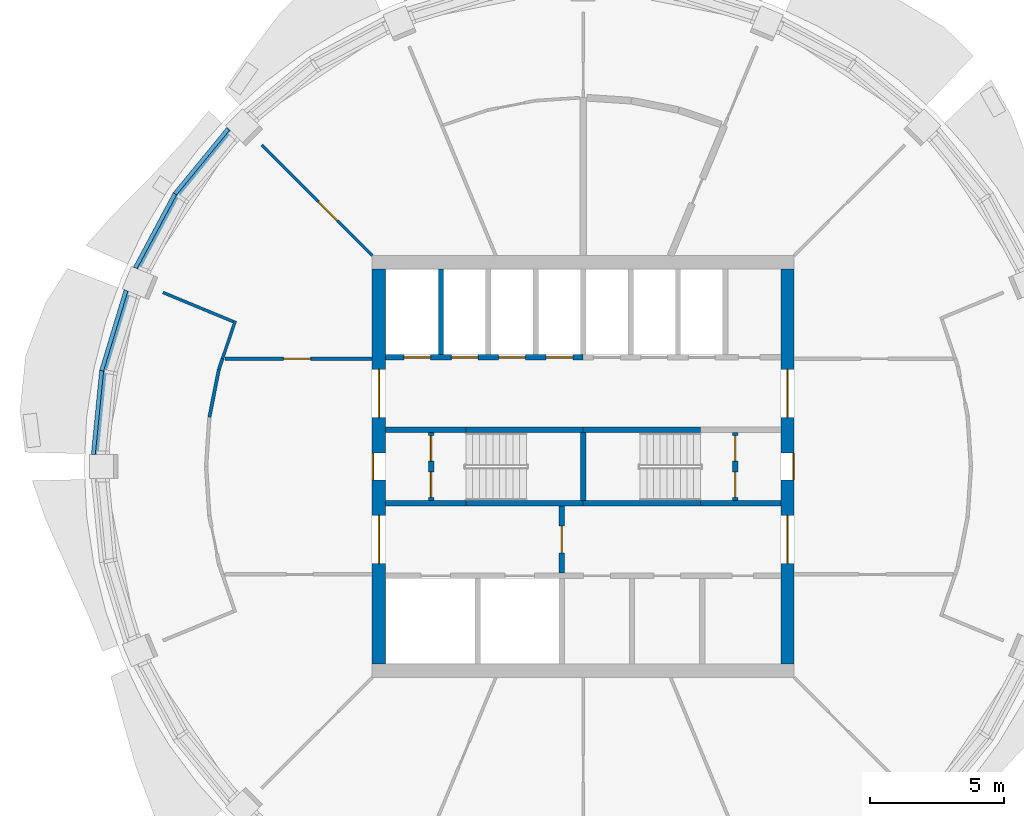
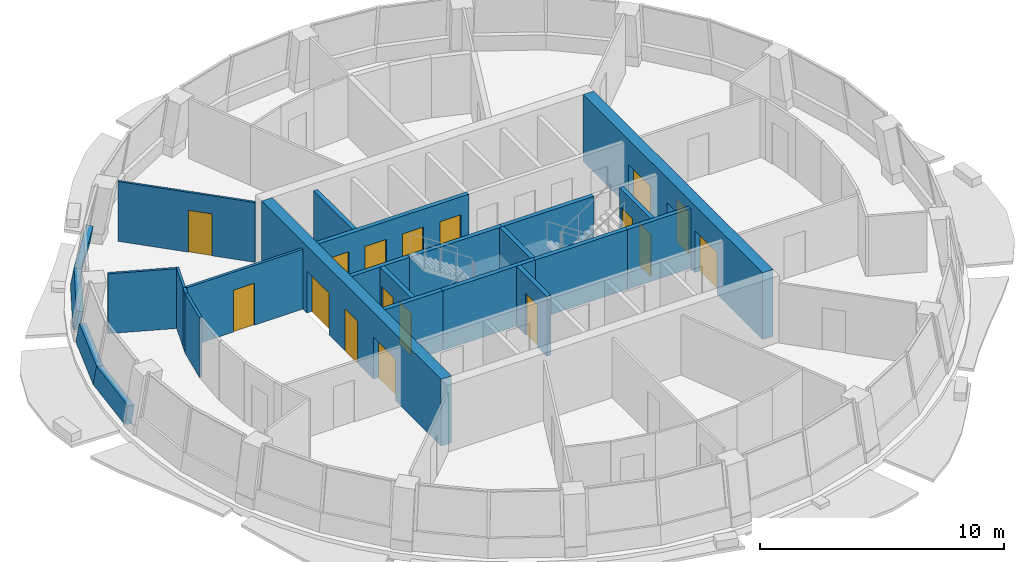
# One storey, part 5 of 11: 25 walls, 17 doors, 17 openings.
"""IFC4 building model written with IfcOpenShell, lengths in metres."""

from ifc_helpers import new_model, si_unit, direction, frame, frame_2d, origin, place, context, subcontext, project, spatial, polyline, rectangle, outline, extrude, material, layer, layer_set, type_object, element, fill, save


model = new_model("IFC4")

# Units and contexts
model_context = context("Model", 3, precision=1e-05, world=origin(), true_north=direction((0.0, 1.0)))
body_context = subcontext(model_context, "Body", "Model", "MODEL_VIEW")
ifc_project = project(units=[si_unit("LENGTHUNIT", "METRE"), si_unit("AREAUNIT", "SQUARE_METRE"), si_unit("VOLUMEUNIT", "CUBIC_METRE"), si_unit("PLANEANGLEUNIT", "RADIAN"), si_unit("MASSUNIT", "GRAM", prefix="KILO")], contexts=[model_context])

# Site, building, storey
site_placement = place(None, origin())
site = spatial("IfcSite", under=ifc_project, at=site_placement, CompositionType="ELEMENT")
building_placement = place(site_placement, origin())
building = spatial("IfcBuilding", under=site, at=building_placement, Name="Polderwave Tower", CompositionType="ELEMENT")
storey_placement = place(building_placement, frame((0.0, 0.0, 184.300048828125)))
storey = spatial("IfcBuildingStorey", under=building, at=storey_placement, Name="L49", CompositionType="ELEMENT", Elevation=184.300048828125)

# Wall, openings, doors
ifc_material_1 = material(Name="Concrete C60/75", Category="concrete")
ifc_layer_1 = layer(ifc_material_1, 0.5)
ifc_layer_set_1 = layer_set([ifc_layer_1], Name="CORE WALL 500 C60/75")
wall_type_1 = type_object("IfcWallType", Name="CORE WALL 500 C60/75", PredefinedType="SHEAR", material=ifc_layer_set_1)
wall_1_placement = place(storey_placement, frame((-7.6240234375, -7.3740234375, 0.0), z_axis=(0.0, 0.0, 1.0), x_axis=(0.0, 1.0, 0.0)))
wall_1 = element("IfcWall", 1, at=wall_1_placement, inside=storey, type_object=wall_type_1, Name="ST-CORE-L49-W", PredefinedType="SHEAR", context=body_context, shape_type="SweptSolid", body=[
    extrude(rectangle(XDim=14.748046875, YDim=0.5, at=frame_2d((7.3740234375, 0.0))), origin(), (0.0, 0.0, 1.0), 3.349853515625),
])
opening_1_placement = place(wall_1_placement, frame((6.8740234375, 0.0, 0.0)))
opening_1 = element("IfcOpeningElement", 2, at=opening_1_placement, cuts=wall_1, Name="Opening L49-D19", PredefinedType="OPENING", context=body_context, shape_type="SweptSolid", body=[
    extrude(rectangle(XDim=1.0, YDim=2.10009765625, at=frame_2d((0.5, 1.050048828125))), frame((0.0, 0.260009765625, 0.0), z_axis=(0.0, -1.0, 0.0), x_axis=(1.0, 0.0, 0.0)), (0.0, 0.0, 1.0), 0.52001953125),
])
opening_2_placement = place(wall_1_placement, frame((3.74951171875, 0.0, 0.0)))
opening_2 = element("IfcOpeningElement", 3, at=opening_2_placement, cuts=wall_1, Name="Opening L49-D20", PredefinedType="OPENING", context=body_context, shape_type="SweptSolid", body=[
    extrude(rectangle(XDim=1.800048828125, YDim=2.10009765625, at=frame_2d((0.89990234375, 1.050048828125))), frame((0.0, 0.260009765625, 0.0), z_axis=(0.0, -1.0, 0.0), x_axis=(1.0, 0.0, 0.0)), (0.0, 0.0, 1.0), 0.52001953125),
])
opening_3_placement = place(wall_1_placement, frame((9.198486328125, 0.0, 0.0)))
opening_3 = element("IfcOpeningElement", 4, at=opening_3_placement, cuts=wall_1, Name="Opening L49-D21", PredefinedType="OPENING", context=body_context, shape_type="SweptSolid", body=[
    extrude(rectangle(XDim=1.800048828125, YDim=2.10009765625, at=frame_2d((0.89990234375, 1.050048828125))), frame((0.0, 0.260009765625, 0.0), z_axis=(0.0, -1.0, 0.0), x_axis=(1.0, 0.0, 0.0)), (0.0, 0.0, 1.0), 0.52001953125),
])
ifc_material_2 = material(Name="Steel fire door", Category="steel")
door_type_1 = type_object("IfcDoorType", Name="Lobby entry door pair 1800", OperationType="DOUBLE_DOOR_SINGLE_SWING", PredefinedType="DOOR", material=ifc_material_2)
door_1_placement = place(opening_2_placement, origin())
door_1 = element("IfcDoor", 5, at=door_1_placement, inside=storey, type_object=door_type_1, Name="Fire-fighting lobby entry door", OperationType="DOUBLE_DOOR_SINGLE_SWING", OverallHeight=2.10009765625, OverallWidth=1.800048828125, PredefinedType="DOOR", context=body_context, shape_type="SweptSolid", body=[
    extrude(rectangle(XDim=1.800048828125, YDim=2.10009765625, at=frame_2d((0.89990234375, 1.050048828125))), frame((0.0, 0.02490234375, 0.0), z_axis=(0.0, -1.0, 0.0), x_axis=(1.0, 0.0, 0.0)), (0.0, 0.0, 1.0), 0.050048828125),
])
fill(opening_2, door_1)
door_2_placement = place(opening_3_placement, origin())
door_2 = element("IfcDoor", 6, at=door_2_placement, inside=storey, type_object=door_type_1, Name="North lobby entry door", OperationType="DOUBLE_DOOR_SINGLE_SWING", OverallHeight=2.10009765625, OverallWidth=1.800048828125, PredefinedType="DOOR", context=body_context, shape_type="SweptSolid", body=[
    extrude(rectangle(XDim=1.800048828125, YDim=2.10009765625, at=frame_2d((0.89990234375, 1.050048828125))), frame((0.0, 0.02490234375, 0.0), z_axis=(0.0, -1.0, 0.0), x_axis=(1.0, 0.0, 0.0)), (0.0, 0.0, 1.0), 0.050048828125),
])
fill(opening_3, door_2)
door_type_2 = type_object("IfcDoorType", Name="Stair door 1000", OperationType="NOTDEFINED", PredefinedType="DOOR", material=ifc_material_2)
door_3_placement = place(opening_1_placement, origin())
door_3 = element("IfcDoor", 7, at=door_3_placement, inside=storey, type_object=door_type_2, Name="Stair A entry door", OperationType="SINGLE_SWING_RIGHT", OverallHeight=2.10009765625, OverallWidth=1.0, PredefinedType="DOOR", context=body_context, shape_type="SweptSolid", body=[
    extrude(rectangle(XDim=1.0, YDim=2.10009765625, at=frame_2d((0.5, 1.050048828125))), frame((0.0, 0.25, 0.0), z_axis=(0.0, -1.0, 0.0), x_axis=(1.0, 0.0, 0.0)), (0.0, 0.0, 1.0), 0.050048828125),
])
fill(opening_1, door_3)

wall_2_placement = place(storey_placement, frame((7.6240234375, -7.3740234375, 0.0), z_axis=(0.0, 0.0, 1.0), x_axis=(0.0, 1.0, 0.0)))
wall_2 = element("IfcWall", 8, at=wall_2_placement, inside=storey, type_object=wall_type_1, Name="ST-CORE-L49-E", PredefinedType="SHEAR", context=body_context, shape_type="SweptSolid", body=[
    extrude(rectangle(XDim=14.748046875, YDim=0.5, at=frame_2d((7.3740234375, 0.0))), origin(), (0.0, 0.0, 1.0), 3.349853515625),
])
opening_4_placement = place(wall_2_placement, frame((6.8740234375, 0.0, 0.0)))
opening_4 = element("IfcOpeningElement", 9, at=opening_4_placement, cuts=wall_2, Name="Opening L49-D22", PredefinedType="OPENING", context=body_context, shape_type="SweptSolid", body=[
    extrude(rectangle(XDim=1.0, YDim=2.10009765625, at=frame_2d((0.5, 1.050048828125))), frame((0.0, 0.260009765625, 0.0), z_axis=(0.0, -1.0, 0.0), x_axis=(1.0, 0.0, 0.0)), (0.0, 0.0, 1.0), 0.52001953125),
])
opening_5_placement = place(wall_2_placement, frame((3.74951171875, 0.0, 0.0)))
opening_5 = element("IfcOpeningElement", 10, at=opening_5_placement, cuts=wall_2, Name="Opening L49-D23", PredefinedType="OPENING", context=body_context, shape_type="SweptSolid", body=[
    extrude(rectangle(XDim=1.800048828125, YDim=2.10009765625, at=frame_2d((0.89990234375, 1.050048828125))), frame((0.0, 0.260009765625, 0.0), z_axis=(0.0, -1.0, 0.0), x_axis=(1.0, 0.0, 0.0)), (0.0, 0.0, 1.0), 0.52001953125),
])
opening_6_placement = place(wall_2_placement, frame((9.198486328125, 0.0, 0.0)))
opening_6 = element("IfcOpeningElement", 11, at=opening_6_placement, cuts=wall_2, Name="Opening L49-D24", PredefinedType="OPENING", context=body_context, shape_type="SweptSolid", body=[
    extrude(rectangle(XDim=1.800048828125, YDim=2.10009765625, at=frame_2d((0.89990234375, 1.050048828125))), frame((0.0, 0.260009765625, 0.0), z_axis=(0.0, -1.0, 0.0), x_axis=(1.0, 0.0, 0.0)), (0.0, 0.0, 1.0), 0.52001953125),
])
door_4_placement = place(opening_5_placement, frame((1.800048828125, 0.0, 0.0), z_axis=(0.0, 0.0, 1.0), x_axis=(-1.0, 0.0, 0.0)))
door_4 = element("IfcDoor", 12, at=door_4_placement, inside=storey, type_object=door_type_1, Name="South lobby entry door", OperationType="DOUBLE_DOOR_SINGLE_SWING", OverallHeight=2.10009765625, OverallWidth=1.800048828125, PredefinedType="DOOR", context=body_context, shape_type="SweptSolid", body=[
    extrude(rectangle(XDim=1.800048828125, YDim=2.10009765625, at=frame_2d((0.89990234375, 1.050048828125))), frame((0.0, 0.02490234375, 0.0), z_axis=(0.0, -1.0, 0.0), x_axis=(1.0, 0.0, 0.0)), (0.0, 0.0, 1.0), 0.050048828125),
])
fill(opening_5, door_4)
door_5_placement = place(opening_6_placement, frame((1.800048828125, 0.0, 0.0), z_axis=(0.0, 0.0, 1.0), x_axis=(-1.0, 0.0, 0.0)))
door_5 = element("IfcDoor", 13, at=door_5_placement, inside=storey, type_object=door_type_1, Name="North lobby entry door", OperationType="DOUBLE_DOOR_SINGLE_SWING", OverallHeight=2.10009765625, OverallWidth=1.800048828125, PredefinedType="DOOR", context=body_context, shape_type="SweptSolid", body=[
    extrude(rectangle(XDim=1.800048828125, YDim=2.10009765625, at=frame_2d((0.89990234375, 1.050048828125))), frame((0.0, 0.02490234375, 0.0), z_axis=(0.0, -1.0, 0.0), x_axis=(1.0, 0.0, 0.0)), (0.0, 0.0, 1.0), 0.050048828125),
])
fill(opening_6, door_5)
door_6_placement = place(opening_4_placement, frame((1.0, 0.0, 0.0), z_axis=(0.0, 0.0, 1.0), x_axis=(-1.0, 0.0, 0.0)))
door_6 = element("IfcDoor", 14, at=door_6_placement, inside=storey, type_object=door_type_2, Name="Stair B entry door", OperationType="SINGLE_SWING_LEFT", OverallHeight=2.10009765625, OverallWidth=1.0, PredefinedType="DOOR", context=body_context, shape_type="SweptSolid", body=[
    extrude(rectangle(XDim=1.0, YDim=2.10009765625, at=frame_2d((0.5, 1.050048828125))), frame((0.0, 0.25, 0.0), z_axis=(0.0, -1.0, 0.0), x_axis=(1.0, 0.0, 0.0)), (0.0, 0.0, 1.0), 0.050048828125),
])
fill(opening_4, door_6)

# Walls
ifc_material_3 = material(Name="Concrete C50/60 (board-marked)", Category="concrete")
ifc_layer_2 = layer(ifc_material_3, 0.300048828125)
ifc_layer_set_2 = layer_set([ifc_layer_2], Name="Concrete spandrel upstand C50/60")
wall_type_2 = type_object("IfcWallType", Name="Concrete spandrel upstand C50/60", PredefinedType="SOLIDWALL", material=ifc_layer_set_2)
wall_3_placement = place(storey_placement, frame((-13.29736328125, 12.656982421875, 0.0), z_axis=(-0.762803450932, 0.625801401555, 0.162798959018), x_axis=(-0.634263258583, -0.773117144297, -2.518315e-06)))
element("IfcWall", 15, at=wall_3_placement, inside=storey, type_object=wall_type_2, Name="Spandrel L49 7a", PredefinedType="SOLIDWALL", context=body_context, shape_type="SweptSolid", body=[
    extrude(outline(polyline([(0.0, 0.0), (3.151281562733108, 5.551115123125783e-17), (3.1367905498406303, 0.9120780374733293), (0.014642479521485686, 0.9120620253892199), (0.0, 0.0)])), origin(), (0.0, 0.0, -1.0), 0.300048828125),
])
wall_4_placement = place(storey_placement, frame((-15.296142578125, 10.220703125, 0.0), z_axis=(-0.870053087177, 0.465338838382, 0.162688017342), x_axis=(-0.471621015005, -0.881801348468, 6.731272e-06)))
element("IfcWall", 16, at=wall_4_placement, inside=storey, type_object=wall_type_2, Name="Spandrel L49 7b", PredefinedType="SOLIDWALL", context=body_context, shape_type="SweptSolid", body=[
    extrude(outline(polyline([(0.0, 0.0), (3.151771311111445, -2.7755575615628914e-17), (3.136998428592028, 0.9120317148366439), (0.01471039900557733, 0.9120745174751711), (0.0, 0.0)])), origin(), (0.0, 0.0, -1.0), 0.300048828125),
])
wall_5_placement = place(storey_placement, frame((-17.12841796875, 6.60498046875, 0.0), z_axis=(-0.94416395345, 0.286447724297, 0.162794748846), x_axis=(-0.290320348038, -0.956929514391, 1.683956e-06)))
element("IfcWall", 17, at=wall_5_placement, inside=storey, type_object=wall_type_2, Name="Spandrel L49 8a", PredefinedType="SOLIDWALL", context=body_context, shape_type="SweptSolid", body=[
    extrude(outline(polyline([(0.0, 0.0), (3.1510905215672507, 0.0), (3.1366705655894314, 0.9120640356514044), (0.014389596502516772, 0.912074742565234), (0.0, 0.0)])), origin(), (0.0, 0.0, -1.0), 0.300048828125),
])
wall_6_placement = place(storey_placement, frame((-18.043212890625, 3.589599609375, 0.0), z_axis=(-0.981910573414, 0.097001095349, 0.162611233681), x_axis=(-0.098308707783, -0.995155966643, 5.283619e-06)))
element("IfcWall", 18, at=wall_6_placement, inside=storey, type_object=wall_type_2, Name="Spandrel L49 8b", PredefinedType="SOLIDWALL", context=body_context, shape_type="SweptSolid", body=[
    extrude(outline(polyline([(0.0, 0.0), (3.152467754283533, 0.0), (3.1378318079144165, 0.9120246132585604), (0.014783026234113573, 0.9120582179690098), (0.0, 0.0)])), origin(), (0.0, 0.0, -1.0), 0.300048828125),
])

# Wall, opening, door
ifc_material_4 = material(Name="Gypsum board partition")
ifc_layer_3 = layer(ifc_material_4, 0.199951171875)
ifc_layer_set_3 = layer_set([ifc_layer_3], Name="Core room partition 200")
wall_type_3 = type_object("IfcWallType", Name="Core room partition 200", PredefinedType="PARTITIONING", material=ifc_layer_set_3)
wall_7_placement = place(storey_placement, frame((-0.800048828125, -3.97412109375, 0.0), z_axis=(0.0, 0.0, 1.0), x_axis=(0.0, 1.0, 0.0)))
wall_7 = element("IfcWall", 19, at=wall_7_placement, inside=storey, type_object=wall_type_3, Name="L49 fire-fighting lobby wall", PredefinedType="PARTITIONING", context=body_context, shape_type="SweptSolid", body=[
    extrude(rectangle(XDim=2.4990234375, YDim=0.199951171875, at=frame_2d((1.24951171875, 0.0))), origin(), (0.0, 0.0, 1.0), 3.0),
])
opening_7_placement = place(wall_7_placement, frame((0.74951171875, 0.0, 0.0)))
opening_7 = element("IfcOpeningElement", 20, at=opening_7_placement, cuts=wall_7, Name="Opening L49-D14", PredefinedType="OPENING", context=body_context, shape_type="SweptSolid", body=[
    extrude(rectangle(XDim=1.0, YDim=2.10009765625, at=frame_2d((0.5, 1.050048828125))), frame((0.0, 0.10986328125, 0.0), z_axis=(0.0, -1.0, 0.0), x_axis=(1.0, 0.0, 0.0)), (0.0, 0.0, 1.0), 0.219970703125),
])
door_type_3 = type_object("IfcDoorType", Name="Lobby fire door 1000", OperationType="NOTDEFINED", PredefinedType="DOOR", material=ifc_material_2)
door_7_placement = place(opening_7_placement, frame((1.0, 0.0, 0.0), z_axis=(0.0, 0.0, 1.0), x_axis=(-1.0, 0.0, 0.0)))
door_7 = element("IfcDoor", 21, at=door_7_placement, inside=storey, type_object=door_type_3, Name="Fire-fighting lobby door", OperationType="SINGLE_SWING_LEFT", OverallHeight=2.10009765625, OverallWidth=1.0, PredefinedType="DOOR", context=body_context, shape_type="SweptSolid", body=[
    extrude(rectangle(XDim=1.0, YDim=2.10009765625, at=frame_2d((0.5, 1.050048828125))), frame((0.0, 0.02490234375, 0.0), z_axis=(0.0, -1.0, 0.0), x_axis=(1.0, 0.0, 0.0)), (0.0, 0.0, 1.0), 0.050048828125),
])
fill(opening_7, door_7)

# Wall, openings, doors
wall_8_placement = place(storey_placement, frame((-5.674072265625, -1.27490234375, 0.0), z_axis=(0.0, 0.0, 1.0), x_axis=(0.0, 1.0, 0.0)))
wall_8 = element("IfcWall", 22, at=wall_8_placement, inside=storey, type_object=wall_type_3, Name="L49 smoke lobby wall A", PredefinedType="PARTITIONING", context=body_context, shape_type="SweptSolid", body=[
    extrude(rectangle(XDim=2.5498046875, YDim=0.199951171875, at=frame_2d((1.27490234375, 0.0))), origin(), (0.0, 0.0, 1.0), 3.0),
])
opening_8_placement = place(wall_8_placement, frame((0.125, 0.0, 0.0)))
opening_8 = element("IfcOpeningElement", 23, at=opening_8_placement, cuts=wall_8, Name="Opening L49-D10", PredefinedType="OPENING", context=body_context, shape_type="SweptSolid", body=[
    extrude(rectangle(XDim=0.949951171875, YDim=2.10009765625, at=frame_2d((0.47509765625, 1.050048828125))), frame((0.0, 0.10986328125, 0.0), z_axis=(0.0, -1.0, 0.0), x_axis=(1.0, 0.0, 0.0)), (0.0, 0.0, 1.0), 0.219970703125),
])
opening_9_placement = place(wall_8_placement, frame((1.47509765625, 0.0, 0.0)))
opening_9 = element("IfcOpeningElement", 24, at=opening_9_placement, cuts=wall_8, Name="Opening L49-D11", PredefinedType="OPENING", context=body_context, shape_type="SweptSolid", body=[
    extrude(rectangle(XDim=0.949951171875, YDim=2.10009765625, at=frame_2d((0.47509765625, 1.050048828125))), frame((0.0, 0.10986328125, 0.0), z_axis=(0.0, -1.0, 0.0), x_axis=(1.0, 0.0, 0.0)), (0.0, 0.0, 1.0), 0.219970703125),
])
door_type_4 = type_object("IfcDoorType", Name="Smoke lobby door 950", OperationType="NOTDEFINED", PredefinedType="DOOR", material=ifc_material_2)
door_8_placement = place(opening_8_placement, origin())
door_8 = element("IfcDoor", 25, at=door_8_placement, inside=storey, type_object=door_type_4, Name="Stair A smoke lobby inner door", OperationType="SINGLE_SWING_LEFT", OverallHeight=2.10009765625, OverallWidth=0.949951171875, PredefinedType="DOOR", context=body_context, shape_type="SweptSolid", body=[
    extrude(rectangle(XDim=0.949951171875, YDim=2.10009765625, at=frame_2d((0.47509765625, 1.050048828125))), frame((0.0, 0.02490234375, 0.0), z_axis=(0.0, -1.0, 0.0), x_axis=(1.0, 0.0, 0.0)), (0.0, 0.0, 1.0), 0.050048828125),
])
fill(opening_8, door_8)
door_9_placement = place(opening_9_placement, origin())
door_9 = element("IfcDoor", 26, at=door_9_placement, inside=storey, type_object=door_type_4, Name="Stair A smoke lobby inner door", OperationType="SINGLE_SWING_RIGHT", OverallHeight=2.10009765625, OverallWidth=0.949951171875, PredefinedType="DOOR", context=body_context, shape_type="SweptSolid", body=[
    extrude(rectangle(XDim=0.949951171875, YDim=2.10009765625, at=frame_2d((0.47509765625, 1.050048828125))), frame((0.0, 0.02490234375, 0.0), z_axis=(0.0, -1.0, 0.0), x_axis=(1.0, 0.0, 0.0)), (0.0, 0.0, 1.0), 0.050048828125),
])
fill(opening_9, door_9)

wall_9_placement = place(storey_placement, frame((5.674072265625, -1.27490234375, 0.0), z_axis=(0.0, 0.0, 1.0), x_axis=(0.0, 1.0, 0.0)))
wall_9 = element("IfcWall", 27, at=wall_9_placement, inside=storey, type_object=wall_type_3, Name="L49 smoke lobby wall B", PredefinedType="PARTITIONING", context=body_context, shape_type="SweptSolid", body=[
    extrude(rectangle(XDim=2.5498046875, YDim=0.199951171875, at=frame_2d((1.27490234375, 0.0))), origin(), (0.0, 0.0, 1.0), 3.0),
])
opening_10_placement = place(wall_9_placement, frame((0.125, 0.0, 0.0)))
opening_10 = element("IfcOpeningElement", 28, at=opening_10_placement, cuts=wall_9, Name="Opening L49-D12", PredefinedType="OPENING", context=body_context, shape_type="SweptSolid", body=[
    extrude(rectangle(XDim=0.949951171875, YDim=2.10009765625, at=frame_2d((0.47509765625, 1.050048828125))), frame((0.0, 0.10986328125, 0.0), z_axis=(0.0, -1.0, 0.0), x_axis=(1.0, 0.0, 0.0)), (0.0, 0.0, 1.0), 0.219970703125),
])
opening_11_placement = place(wall_9_placement, frame((1.47509765625, 0.0, 0.0)))
opening_11 = element("IfcOpeningElement", 29, at=opening_11_placement, cuts=wall_9, Name="Opening L49-D13", PredefinedType="OPENING", context=body_context, shape_type="SweptSolid", body=[
    extrude(rectangle(XDim=0.949951171875, YDim=2.10009765625, at=frame_2d((0.47509765625, 1.050048828125))), frame((0.0, 0.10986328125, 0.0), z_axis=(0.0, -1.0, 0.0), x_axis=(1.0, 0.0, 0.0)), (0.0, 0.0, 1.0), 0.219970703125),
])
door_10_placement = place(opening_10_placement, frame((0.949951171875, 0.0, 0.0), z_axis=(0.0, 0.0, 1.0), x_axis=(-1.0, 0.0, 0.0)))
door_10 = element("IfcDoor", 30, at=door_10_placement, inside=storey, type_object=door_type_4, Name="Stair B smoke lobby inner door", OperationType="SINGLE_SWING_RIGHT", OverallHeight=2.10009765625, OverallWidth=0.949951171875, PredefinedType="DOOR", context=body_context, shape_type="SweptSolid", body=[
    extrude(rectangle(XDim=0.949951171875, YDim=2.10009765625, at=frame_2d((0.47509765625, 1.050048828125))), frame((0.0, 0.02490234375, 0.0), z_axis=(0.0, -1.0, 0.0), x_axis=(1.0, 0.0, 0.0)), (0.0, 0.0, 1.0), 0.050048828125),
])
fill(opening_10, door_10)
door_11_placement = place(opening_11_placement, frame((0.949951171875, 0.0, 0.0), z_axis=(0.0, 0.0, 1.0), x_axis=(-1.0, 0.0, 0.0)))
door_11 = element("IfcDoor", 31, at=door_11_placement, inside=storey, type_object=door_type_4, Name="Stair B smoke lobby inner door", OperationType="SINGLE_SWING_LEFT", OverallHeight=2.10009765625, OverallWidth=0.949951171875, PredefinedType="DOOR", context=body_context, shape_type="SweptSolid", body=[
    extrude(rectangle(XDim=0.949951171875, YDim=2.10009765625, at=frame_2d((0.47509765625, 1.050048828125))), frame((0.0, 0.02490234375, 0.0), z_axis=(0.0, -1.0, 0.0), x_axis=(1.0, 0.0, 0.0)), (0.0, 0.0, 1.0), 0.050048828125),
])
fill(opening_11, door_11)

ifc_material_5 = material(Name="Concrete C50/60", Category="concrete")
ifc_layer_4 = layer(ifc_material_5, 0.199951171875)
ifc_layer_set_4 = layer_set([ifc_layer_4], Name="Core web wall 200")
wall_type_4 = type_object("IfcWallType", Name="Core web wall 200", PredefinedType="SHEAR", material=ifc_layer_set_4)
wall_10_placement = place(storey_placement, frame((-7.3740234375, 4.073974609375, 0.0), z_axis=(0.0, 0.0, 1.0), x_axis=(1.0, 0.0, 0.0)))
wall_10 = element("IfcWall", 32, at=wall_10_placement, inside=storey, type_object=wall_type_4, Name="L49 north front wall 1", PredefinedType="SHEAR", context=body_context, shape_type="SweptSolid", body=[
    extrude(rectangle(XDim=7.3740234375, YDim=0.199951171875, at=frame_2d((3.68701171875, 0.0))), origin(), (0.0, 0.0, 1.0), 3.0),
])
opening_12_placement = place(wall_10_placement, frame((0.68408203125, 0.0, 0.0)))
opening_12 = element("IfcOpeningElement", 33, at=opening_12_placement, cuts=wall_10, Name="Opening L49-D03", PredefinedType="OPENING", context=body_context, shape_type="SweptSolid", body=[
    extrude(rectangle(XDim=1.0, YDim=2.10009765625, at=frame_2d((0.5, 1.050048828125))), frame((0.0, 0.10986328125, 0.0), z_axis=(0.0, -1.0, 0.0), x_axis=(1.0, 0.0, 0.0)), (0.0, 0.0, 1.0), 0.219970703125),
])
opening_13_placement = place(wall_10_placement, frame((2.45263671875, 0.0, 0.0)))
opening_13 = element("IfcOpeningElement", 34, at=opening_13_placement, cuts=wall_10, Name="Opening L49-D04", PredefinedType="OPENING", context=body_context, shape_type="SweptSolid", body=[
    extrude(rectangle(XDim=1.0, YDim=2.10009765625, at=frame_2d((0.5, 1.050048828125))), frame((0.0, 0.10986328125, 0.0), z_axis=(0.0, -1.0, 0.0), x_axis=(1.0, 0.0, 0.0)), (0.0, 0.0, 1.0), 0.219970703125),
])
opening_14_placement = place(wall_10_placement, frame((4.22119140625, 0.0, 0.0)))
opening_14 = element("IfcOpeningElement", 35, at=opening_14_placement, cuts=wall_10, Name="Opening L49-D05", PredefinedType="OPENING", context=body_context, shape_type="SweptSolid", body=[
    extrude(rectangle(XDim=1.0, YDim=2.10009765625, at=frame_2d((0.5, 1.050048828125))), frame((0.0, 0.10986328125, 0.0), z_axis=(0.0, -1.0, 0.0), x_axis=(1.0, 0.0, 0.0)), (0.0, 0.0, 1.0), 0.219970703125),
])
opening_15_placement = place(wall_10_placement, frame((5.98974609375, 0.0, 0.0)))
opening_15 = element("IfcOpeningElement", 36, at=opening_15_placement, cuts=wall_10, Name="Opening L49-D06", PredefinedType="OPENING", context=body_context, shape_type="SweptSolid", body=[
    extrude(rectangle(XDim=1.0, YDim=2.10009765625, at=frame_2d((0.5, 1.050048828125))), frame((0.0, 0.10986328125, 0.0), z_axis=(0.0, -1.0, 0.0), x_axis=(1.0, 0.0, 0.0)), (0.0, 0.0, 1.0), 0.219970703125),
])
ifc_material_6 = material(Name="Stainless steel", Category="steel")
door_type_5 = type_object("IfcDoorType", Name="Lift landing door 1000", OperationType="DOUBLE_DOOR_SLIDING", PredefinedType="DOOR", material=ifc_material_6)
door_12_placement = place(opening_12_placement, frame((1.0, 0.0, 0.0), z_axis=(0.0, 0.0, 1.0), x_axis=(-1.0, 0.0, 0.0)))
door_12 = element("IfcDoor", 37, at=door_12_placement, inside=storey, type_object=door_type_5, Name="Lift HL1 landing door", OperationType="DOUBLE_DOOR_SLIDING", OverallHeight=2.10009765625, OverallWidth=1.0, PredefinedType="DOOR", context=body_context, shape_type="SweptSolid", body=[
    extrude(rectangle(XDim=1.0, YDim=2.10009765625, at=frame_2d((0.5, 1.050048828125))), frame((0.0, 0.02490234375, 0.0), z_axis=(0.0, -1.0, 0.0), x_axis=(1.0, 0.0, 0.0)), (0.0, 0.0, 1.0), 0.050048828125),
])
fill(opening_12, door_12)
door_13_placement = place(opening_13_placement, frame((1.0, 0.0, 0.0), z_axis=(0.0, 0.0, 1.0), x_axis=(-1.0, 0.0, 0.0)))
door_13 = element("IfcDoor", 38, at=door_13_placement, inside=storey, type_object=door_type_5, Name="Lift HL2 landing door", OperationType="DOUBLE_DOOR_SLIDING", OverallHeight=2.10009765625, OverallWidth=1.0, PredefinedType="DOOR", context=body_context, shape_type="SweptSolid", body=[
    extrude(rectangle(XDim=1.0, YDim=2.10009765625, at=frame_2d((0.5, 1.050048828125))), frame((0.0, 0.02490234375, 0.0), z_axis=(0.0, -1.0, 0.0), x_axis=(1.0, 0.0, 0.0)), (0.0, 0.0, 1.0), 0.050048828125),
])
fill(opening_13, door_13)
door_14_placement = place(opening_14_placement, frame((1.0, 0.0, 0.0), z_axis=(0.0, 0.0, 1.0), x_axis=(-1.0, 0.0, 0.0)))
door_14 = element("IfcDoor", 39, at=door_14_placement, inside=storey, type_object=door_type_5, Name="Lift HL3 landing door", OperationType="DOUBLE_DOOR_SLIDING", OverallHeight=2.10009765625, OverallWidth=1.0, PredefinedType="DOOR", context=body_context, shape_type="SweptSolid", body=[
    extrude(rectangle(XDim=1.0, YDim=2.10009765625, at=frame_2d((0.5, 1.050048828125))), frame((0.0, 0.02490234375, 0.0), z_axis=(0.0, -1.0, 0.0), x_axis=(1.0, 0.0, 0.0)), (0.0, 0.0, 1.0), 0.050048828125),
])
fill(opening_14, door_14)
door_15_placement = place(opening_15_placement, frame((1.0, 0.0, 0.0), z_axis=(0.0, 0.0, 1.0), x_axis=(-1.0, 0.0, 0.0)))
door_15 = element("IfcDoor", 40, at=door_15_placement, inside=storey, type_object=door_type_5, Name="Lift HL4 landing door", OperationType="DOUBLE_DOOR_SLIDING", OverallHeight=2.10009765625, OverallWidth=1.0, PredefinedType="DOOR", context=body_context, shape_type="SweptSolid", body=[
    extrude(rectangle(XDim=1.0, YDim=2.10009765625, at=frame_2d((0.5, 1.050048828125))), frame((0.0, 0.02490234375, 0.0), z_axis=(0.0, -1.0, 0.0), x_axis=(1.0, 0.0, 0.0)), (0.0, 0.0, 1.0), 0.050048828125),
])
fill(opening_15, door_15)

# Walls
wall_11_placement = place(storey_placement, frame((-7.3740234375, -1.375, 0.0), z_axis=(0.0, 0.0, 1.0), x_axis=(1.0, 0.0, 0.0)))
element("IfcWall", 41, at=wall_11_placement, inside=storey, type_object=wall_type_4, Name="L49 south stair wall 1", PredefinedType="SHEAR", context=body_context, shape_type="SweptSolid", body=[
    extrude(rectangle(XDim=3.0, YDim=0.199951171875, at=frame_2d((1.5, 0.0))), origin(), (0.0, 0.0, 1.0), 3.0),
])
for number, where, z_axis, x_axis, name in (
    (42, (-4.3740234375, -1.375, 0.0), (0.0, 0.0, 1.0), (1.0, 0.0, 0.0), "L49 south stair wall 2"),
    (43, (0.0, -1.375, 0.0), (0.0, 0.0, 1.0), (1.0, 0.0, 0.0), "L49 south stair wall 3"),
):
    element("IfcWall", number, at=place(storey_placement, frame(where, z_axis=z_axis, x_axis=x_axis)), inside=storey, type_object=wall_type_4, Name=name, PredefinedType="SHEAR", context=body_context, shape_type="SweptSolid", body=[
        extrude(rectangle(XDim=4.3740234375, YDim=0.199951171875, at=frame_2d((2.18701171875, 0.0))), origin(), (0.0, 0.0, 1.0), 3.0),
    ])
for number, where, z_axis, x_axis, name in (
    (44, (4.3740234375, -1.375, 0.0), (0.0, 0.0, 1.0), (1.0, 0.0, 0.0), "L49 south stair wall 4"),
    (45, (-7.3740234375, 1.375, 0.0), (0.0, 0.0, 1.0), (1.0, 0.0, 0.0), "L49 north stair wall 1"),
):
    element("IfcWall", number, at=place(storey_placement, frame(where, z_axis=z_axis, x_axis=x_axis)), inside=storey, type_object=wall_type_4, Name=name, PredefinedType="SHEAR", context=body_context, shape_type="SweptSolid", body=[
        extrude(rectangle(XDim=3.0, YDim=0.199951171875, at=frame_2d((1.5, 0.0))), origin(), (0.0, 0.0, 1.0), 3.0),
    ])
for number, where, z_axis, x_axis, name in (
    (46, (-4.3740234375, 1.375, 0.0), (0.0, 0.0, 1.0), (1.0, 0.0, 0.0), "L49 north stair wall 2"),
    (47, (0.0, 1.375, 0.0), (0.0, 0.0, 1.0), (1.0, 0.0, 0.0), "L49 north stair wall 3"),
):
    element("IfcWall", number, at=place(storey_placement, frame(where, z_axis=z_axis, x_axis=x_axis)), inside=storey, type_object=wall_type_4, Name=name, PredefinedType="SHEAR", context=body_context, shape_type="SweptSolid", body=[
        extrude(rectangle(XDim=4.3740234375, YDim=0.199951171875, at=frame_2d((2.18701171875, 0.0))), origin(), (0.0, 0.0, 1.0), 3.0),
    ])
wall_12_placement = place(storey_placement, frame((0.0, -1.27490234375, 0.0), z_axis=(0.0, 0.0, 1.0), x_axis=(0.0, 1.0, 0.0)))
element("IfcWall", 48, at=wall_12_placement, inside=storey, type_object=wall_type_4, Name="L49 wall between the stairs", PredefinedType="SHEAR", context=body_context, shape_type="SweptSolid", body=[
    extrude(rectangle(XDim=2.5498046875, YDim=0.199951171875, at=frame_2d((1.27490234375, 0.0))), origin(), (0.0, 0.0, 1.0), 3.0),
])

# Wall, opening, door
ifc_material_7 = material(Name="Fire-resisting board on steel studs", Category="steel")
ifc_layer_5 = layer(ifc_material_7, 0.125)
ifc_layer_set_5 = layer_set([ifc_layer_5], Name="Corridor wall 125 mm EI 60")
wall_type_5 = type_object("IfcWallType", Name="Corridor wall 125 mm EI 60", PredefinedType="PARTITIONING", material=ifc_layer_set_5)
wall_13_placement = place(storey_placement, frame((-13.373291015625, 4.0244140625, 0.0), z_axis=(0.0, 0.0, 1.0), x_axis=(1.0, 0.0, 0.0)))
wall_13 = element("IfcWall", 49, at=wall_13_placement, inside=storey, type_object=wall_type_5, Name="IN-L49-W009", PredefinedType="PARTITIONING", context=body_context, shape_type="SweptSolid", body=[
    extrude(rectangle(XDim=5.499267578125, YDim=0.125, at=frame_2d((2.74951171875, 0.0))), origin(), (0.0, 0.0, 1.0), 3.0),
])
opening_16_placement = place(wall_13_placement, frame((2.199951171875, 0.0, 0.0)))
opening_16 = element("IfcOpeningElement", 50, at=opening_16_placement, cuts=wall_13, Name="Opening L49-D53", PredefinedType="OPENING", context=body_context, shape_type="SweptSolid", body=[
    extrude(rectangle(XDim=1.0, YDim=2.10009765625, at=frame_2d((0.5, 1.050048828125))), frame((0.0, 0.072509765625, 0.0), z_axis=(0.0, -1.0, 0.0), x_axis=(1.0, 0.0, 0.0)), (0.0, 0.0, 1.0), 0.14501953125),
])
ifc_material_8 = material(Name="Timber fire door leaf", Category="wood")
door_type_6 = type_object("IfcDoorType", Name="Fire door FD30S 1000 x 2100", OperationType="NOTDEFINED", PredefinedType="DOOR", material=ifc_material_8)
door_16_placement = place(opening_16_placement, origin())
door_16 = element("IfcDoor", 51, at=door_16_placement, inside=storey, type_object=door_type_6, Name="Door L49-D53", OperationType="SINGLE_SWING_LEFT", OverallHeight=2.10009765625, OverallWidth=1.0, PredefinedType="DOOR", context=body_context, shape_type="SweptSolid", body=[
    extrude(rectangle(XDim=1.0, YDim=2.10009765625, at=frame_2d((0.5, 1.050048828125))), frame((0.0, 0.02490234375, 0.0), z_axis=(0.0, -1.0, 0.0), x_axis=(1.0, 0.0, 0.0)), (0.0, 0.0, 1.0), 0.050048828125),
])
fill(opening_16, door_16)

# Walls
wall_14_placement = place(storey_placement, frame((-13.94873046875, 1.840576171875, 0.0), z_axis=(0.0, 0.0, 1.0), x_axis=(0.195065465094, 0.980790224425, 0.0)))
element("IfcWall", 52, at=wall_14_placement, inside=storey, type_object=wall_type_5, Name="IN-L49-W012", PredefinedType="PARTITIONING", context=body_context, shape_type="SweptSolid", body=[
    extrude(rectangle(XDim=1.832275390625, YDim=0.125, at=frame_2d((0.916015625, 0.0))), origin(), (0.0, 0.0, 1.0), 3.0),
])
wall_15_placement = place(storey_placement, frame((-13.58935546875, 3.6455078125, 0.0), z_axis=(0.0, 0.0, 1.0), x_axis=(0.321530820204, 0.94689911377, 0.0)))
element("IfcWall", 53, at=wall_15_placement, inside=storey, type_object=wall_type_5, Name="IN-L49-W014", PredefinedType="PARTITIONING", context=body_context, shape_type="SweptSolid", body=[
    extrude(rectangle(XDim=0.400146484375, YDim=0.125, at=frame_2d((0.2001953125, 0.0))), origin(), (0.0, 0.0, 1.0), 3.0),
])

# Wall, opening, door
ifc_material_9 = material(Name="Plasterboard on steel studs", Category="steel")
ifc_layer_6 = layer(ifc_material_9, 0.10009765625)
ifc_layer_set_6 = layer_set([ifc_layer_6], Name="Partition 100 mm plasterboard on steel studs")
wall_type_6 = type_object("IfcWallType", Name="Partition 100 mm plasterboard on steel studs", PredefinedType="PARTITIONING", material=ifc_layer_set_6)
wall_16_placement = place(storey_placement, frame((-11.99951171875, 11.99951171875, 0.0), z_axis=(0.0, 0.0, 1.0), x_axis=(0.707106781187, -0.707106781187, 0.0)))
wall_16 = element("IfcWall", 54, at=wall_16_placement, inside=storey, type_object=wall_type_6, Name="IN-L49-W034", PredefinedType="PARTITIONING", context=body_context, shape_type="SweptSolid", body=[
    extrude(rectangle(XDim=5.834228515625, YDim=0.10009765625, at=frame_2d((2.9169921875, 0.0))), origin(), (0.0, 0.0, 1.0), 3.0),
])
opening_17_placement = place(wall_16_placement, frame((3.0, 0.0, 0.0)))
opening_17 = element("IfcOpeningElement", 55, at=opening_17_placement, cuts=wall_16, Name="Opening L49-D61", PredefinedType="OPENING", context=body_context, shape_type="SweptSolid", body=[
    extrude(rectangle(XDim=1.0, YDim=2.10009765625, at=frame_2d((0.5, 1.050048828125))), frame((0.0, 0.06005859375, 0.0), z_axis=(0.0, -1.0, 0.0), x_axis=(1.0, 0.0, 0.0)), (0.0, 0.0, 1.0), 0.1201171875),
])
ifc_material_10 = material(Name="Timber veneer door leaf", Category="wood")
door_type_7 = type_object("IfcDoorType", Name="Single door 1000 x 2100", OperationType="NOTDEFINED", PredefinedType="DOOR", material=ifc_material_10)
door_17_placement = place(opening_17_placement, origin())
door_17 = element("IfcDoor", 56, at=door_17_placement, inside=storey, type_object=door_type_7, Name="Door L49-D61", OperationType="SINGLE_SWING_RIGHT", OverallHeight=2.10009765625, OverallWidth=1.0, PredefinedType="DOOR", context=body_context, shape_type="SweptSolid", body=[
    extrude(rectangle(XDim=1.0, YDim=2.10009765625, at=frame_2d((0.5, 1.050048828125))), frame((0.0, 0.02490234375, 0.0), z_axis=(0.0, -1.0, 0.0), x_axis=(1.0, 0.0, 0.0)), (0.0, 0.0, 1.0), 0.050048828125),
])
fill(opening_17, door_17)

# Walls
ifc_material_11 = material(Name="Acoustic double plasterboard on steel studs", Category="steel")
ifc_layer_7 = layer(ifc_material_11, 0.110107421875)
ifc_layer_set_7 = layer_set([ifc_layer_7], Name="Partition 110 mm acoustic double board")
wall_type_7 = type_object("IfcWallType", Name="Partition 110 mm acoustic double board", PredefinedType="PARTITIONING", material=ifc_layer_set_7)
wall_17_placement = place(storey_placement, frame((-13.460693359375, 4.0244140625, 0.0), z_axis=(0.0, 0.0, 1.0), x_axis=(0.321527037068, 0.946900398371, 0.0)))
element("IfcWall", 57, at=wall_17_placement, inside=storey, type_object=wall_type_7, Name="IN-L49-W035", PredefinedType="PARTITIONING", context=body_context, shape_type="SweptSolid", body=[
    extrude(rectangle(XDim=1.4912109375, YDim=0.110107421875, at=frame_2d((0.74560546875, 0.0))), origin(), (0.0, 0.0, 1.0), 3.0),
])
wall_18_placement = place(storey_placement, frame((-13.05322265625, 5.406982421875, 0.0), z_axis=(0.0, 0.0, 1.0), x_axis=(-0.923898495358, 0.382637648794, 0.0)))
element("IfcWall", 58, at=wall_18_placement, inside=storey, type_object=wall_type_7, Name="IN-L49-W036", PredefinedType="PARTITIONING", context=body_context, shape_type="SweptSolid", body=[
    extrude(rectangle(XDim=2.84130859375, YDim=0.110107421875, at=frame_2d((1.420654296875, 0.0))), origin(), (0.0, 0.0, 1.0), 3.0),
])
ifc_material_12 = material(Name="Gypsum shaft wall system")
ifc_layer_8 = layer(ifc_material_12, 0.199951171875)
ifc_layer_set_8 = layer_set([ifc_layer_8], Name="Shaft wall 200")
wall_type_8 = type_object("IfcWallType", Name="Shaft wall 200", PredefinedType="PARTITIONING", material=ifc_layer_set_8)
wall_19_placement = place(storey_placement, frame((-5.305419921875, 4.174072265625, 0.0), z_axis=(0.0, 0.0, 1.0), x_axis=(0.0, 1.0, 0.0)))
element("IfcWall", 59, at=wall_19_placement, inside=storey, type_object=wall_type_8, Name="L49 lift shaft wall N1", PredefinedType="PARTITIONING", context=body_context, shape_type="SweptSolid", body=[
    extrude(rectangle(XDim=3.199951171875, YDim=0.199951171875, at=frame_2d((1.60009765625, 0.0))), origin(), (0.0, 0.0, 1.0), 3.0),
])

save(model, "model.ifc")
